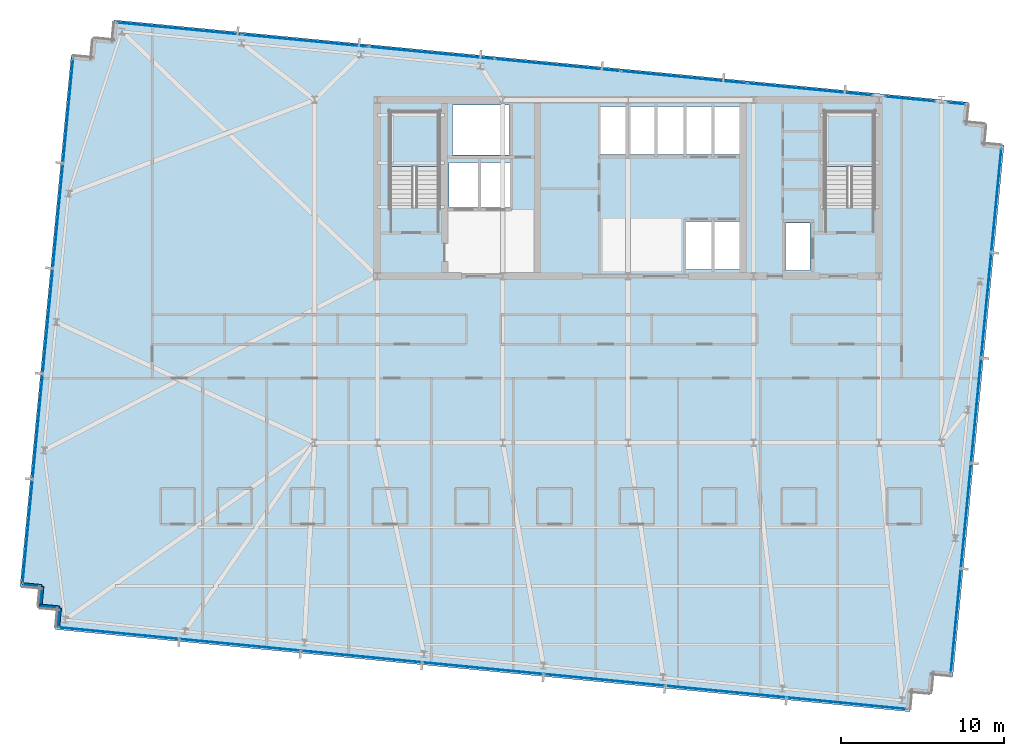
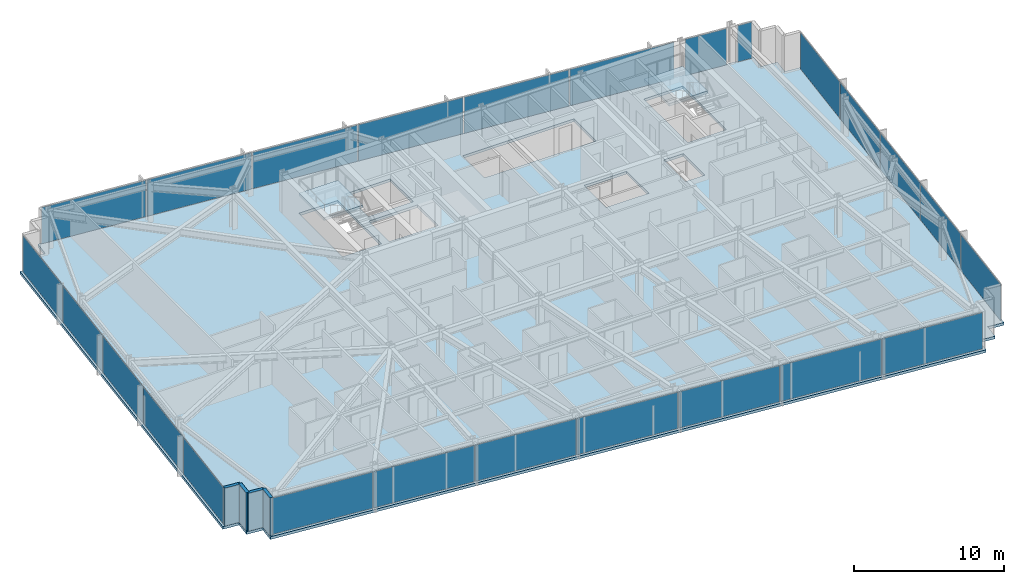
# One storey, part 28 of 38: 25 plates, 4 walls, 3 slabs, 8 elements without a shape of their own.
"""IFC4 building model written with IfcOpenShell, lengths in metres."""

from ifc_helpers import new_model, si_unit, direction, frame, frame_2d, origin, origin_2d, place, context, subcontext, project, spatial, polyline, rectangle, outline, extrude, material, layer, layer_set, type_object, element, aggregate, save


model = new_model("IFC4")

# Units and contexts
model_context = context("Model", 3, precision=1e-05, world=origin(), true_north=direction((0.0, 1.0)))
body_context = subcontext(model_context, "Body", "Model", "MODEL_VIEW")
ifc_project = project(units=[si_unit("LENGTHUNIT", "METRE"), si_unit("AREAUNIT", "SQUARE_METRE"), si_unit("VOLUMEUNIT", "CUBIC_METRE"), si_unit("PLANEANGLEUNIT", "RADIAN"), si_unit("MASSUNIT", "GRAM", prefix="KILO")], contexts=[model_context])

# Site, building, storey
site_placement = place(None, origin())
site = spatial("IfcSite", under=ifc_project, at=site_placement, CompositionType="ELEMENT")
building_placement = place(site_placement, origin())
building = spatial("IfcBuilding", under=site, at=building_placement, Name="Yelkora Congress Tower", CompositionType="ELEMENT")
storey_placement = place(building_placement, frame((0.0, 0.0, 178.699951171875)))
storey = spatial("IfcBuildingStorey", under=building, at=storey_placement, Name="L49", CompositionType="ELEMENT", Elevation=178.699951171875)

# Curtain wall, plates
ifc_material_1 = material(Name="Anodised aluminium and insulated glass", Category="aluminium")
curtain_wall_type = type_object("IfcCurtainWallType", Name="CW-SYS-B3", PredefinedType="NOTDEFINED", material=ifc_material_1)
curtain_wall_1_placement = place(storey_placement, origin())
curtain_wall_1 = element("IfcCurtainWall", 1, at=curtain_wall_1_placement, inside=storey, type_object=curtain_wall_type, Name="L49 Unitised Curtain Wall 5", PredefinedType="NOTDEFINED")
ifc_material_2 = material(Name="Acoustic laminated hotel glass unit B3", Category="glass")
ifc_layer_1 = layer(ifc_material_2, 0.0419921875)
ifc_layer_set_1 = layer_set([ifc_layer_1], Name="Acoustic laminated hotel glass unit B3")
plate_type = type_object("IfcPlateType", Name="PLT-PN-B3", PredefinedType="CURTAIN_PANEL", material=ifc_layer_set_1)
plate_1_placement = place(storey_placement, frame((1.61572265625, 19.75244140625, 0.06005859375), z_axis=(0.0, 0.0, 1.0), x_axis=(0.095845294465, 0.995396242473, 0.0)))
plate_1 = element("IfcPlate", 2, at=plate_1_placement, type_object=plate_type, Name="CW-B3 panel 1.1", PredefinedType="CURTAIN_PANEL", context=body_context, shape_type="SweptSolid", body=[
    extrude(rectangle(XDim=6.37890625, YDim=0.0419921875, at=origin_2d()), origin(), (0.0, 0.0, 1.0), 2.9599609375),
])
plate_2_placement = place(storey_placement, frame((2.235595703125, 26.189208984375, 0.06005859375), z_axis=(0.0, 0.0, 1.0), x_axis=(0.095845294465, 0.995396242473, 0.0)))
plate_2 = element("IfcPlate", 3, at=plate_2_placement, type_object=plate_type, Name="CW-B3 panel 2.1", PredefinedType="CURTAIN_PANEL", context=body_context, shape_type="SweptSolid", body=[
    extrude(rectangle(XDim=6.4140625, YDim=0.0419921875, at=origin_2d()), origin(), (0.0, 0.0, 1.0), 2.9599609375),
])
plate_3_placement = place(storey_placement, frame((2.85693359375, 32.643310546875, 0.06005859375), z_axis=(0.0, 0.0, 1.0), x_axis=(0.095845294465, 0.995396242473, 0.0)))
plate_3 = element("IfcPlate", 4, at=plate_3_placement, type_object=plate_type, Name="CW-B3 panel 3.1", PredefinedType="CURTAIN_PANEL", context=body_context, shape_type="SweptSolid", body=[
    extrude(rectangle(XDim=6.4140625, YDim=0.0419921875, at=origin_2d()), origin(), (0.0, 0.0, 1.0), 2.9599609375),
])
plate_4_placement = place(storey_placement, frame((3.478515625, 39.097412109375, 0.06005859375), z_axis=(0.0, 0.0, 1.0), x_axis=(0.095845294465, 0.995396242473, 0.0)))
plate_4 = element("IfcPlate", 5, at=plate_4_placement, type_object=plate_type, Name="CW-B3 panel 4.1", PredefinedType="CURTAIN_PANEL", context=body_context, shape_type="SweptSolid", body=[
    extrude(rectangle(XDim=6.4140625, YDim=0.0419921875, at=origin_2d()), origin(), (0.0, 0.0, 1.0), 2.9599609375),
])
plate_5_placement = place(storey_placement, frame((4.09814453125, 45.5341796875, 0.06005859375), z_axis=(0.0, 0.0, 1.0), x_axis=(0.095845294465, 0.995396242473, 0.0)))
plate_5 = element("IfcPlate", 6, at=plate_5_placement, type_object=plate_type, Name="CW-B3 panel 5.1", PredefinedType="CURTAIN_PANEL", context=body_context, shape_type="SweptSolid", body=[
    extrude(rectangle(XDim=6.37890625, YDim=0.0419921875, at=origin_2d()), origin(), (0.0, 0.0, 1.0), 2.9599609375),
])
aggregate(curtain_wall_1, [plate_1, plate_2, plate_3, plate_4, plate_5])

curtain_wall_2_placement = place(storey_placement, origin())
curtain_wall_2 = element("IfcCurtainWall", 7, at=curtain_wall_2_placement, inside=storey, type_object=curtain_wall_type, Name="L49 Unitised Curtain Wall 10 (1)", PredefinedType="NOTDEFINED")
plate_6_placement = place(storey_placement, frame((10.913818359375, 50.5634765625, 0.06005859375), z_axis=(0.0, 0.0, 1.0), x_axis=(0.995396293823, -0.095844761168, 0.0)))
plate_6 = element("IfcPlate", 8, at=plate_6_placement, type_object=plate_type, Name="CW-B3 panel 1.1", PredefinedType="CURTAIN_PANEL", context=body_context, shape_type="SweptSolid", body=[
    extrude(rectangle(XDim=7.664306640625, YDim=0.0419921875, at=origin_2d()), origin(), (0.0, 0.0, 1.0), 2.9599609375),
])
plate_7_placement = place(storey_placement, frame((18.6298828125, 49.820556640625, 0.06005859375), z_axis=(0.0, 0.0, 1.0), x_axis=(0.995396293823, -0.095844761168, 0.0)))
plate_7 = element("IfcPlate", 9, at=plate_7_placement, type_object=plate_type, Name="CW-B3 panel 2.1", PredefinedType="CURTAIN_PANEL", context=body_context, shape_type="SweptSolid", body=[
    extrude(rectangle(XDim=7.69921875, YDim=0.0419921875, at=origin_2d()), origin(), (0.0, 0.0, 1.0), 2.9599609375),
])
plate_8_placement = place(storey_placement, frame((26.363525390625, 49.075927734375, 0.06005859375), z_axis=(0.0, 0.0, 1.0), x_axis=(0.995396293823, -0.095844761168, 0.0)))
plate_8 = element("IfcPlate", 10, at=plate_8_placement, type_object=plate_type, Name="CW-B3 panel 3.1", PredefinedType="CURTAIN_PANEL", context=body_context, shape_type="SweptSolid", body=[
    extrude(rectangle(XDim=7.69921875, YDim=0.0419921875, at=origin_2d()), origin(), (0.0, 0.0, 1.0), 2.9599609375),
])
plate_9_placement = place(storey_placement, frame((34.09716796875, 48.331298828125, 0.06005859375), z_axis=(0.0, 0.0, 1.0), x_axis=(0.995396293823, -0.095844761168, 0.0)))
plate_9 = element("IfcPlate", 11, at=plate_9_placement, type_object=plate_type, Name="CW-B3 panel 4.1", PredefinedType="CURTAIN_PANEL", context=body_context, shape_type="SweptSolid", body=[
    extrude(rectangle(XDim=7.69921875, YDim=0.0419921875, at=origin_2d()), origin(), (0.0, 0.0, 1.0), 2.9599609375),
])
plate_10_placement = place(storey_placement, frame((41.83056640625, 47.586669921875, 0.06005859375), z_axis=(0.0, 0.0, 1.0), x_axis=(0.995396293823, -0.095844761168, 0.0)))
plate_10 = element("IfcPlate", 12, at=plate_10_placement, type_object=plate_type, Name="CW-B3 panel 5.1", PredefinedType="CURTAIN_PANEL", context=body_context, shape_type="SweptSolid", body=[
    extrude(rectangle(XDim=7.69921875, YDim=0.0419921875, at=origin_2d()), origin(), (0.0, 0.0, 1.0), 2.9599609375),
])
plate_11_placement = place(storey_placement, frame((49.546875, 46.84375, 0.06005859375), z_axis=(0.0, 0.0, 1.0), x_axis=(0.995396293823, -0.095844761168, 0.0)))
plate_11 = element("IfcPlate", 13, at=plate_11_placement, type_object=plate_type, Name="CW-B3 panel 6.1", PredefinedType="CURTAIN_PANEL", context=body_context, shape_type="SweptSolid", body=[
    extrude(rectangle(XDim=7.664306640625, YDim=0.0419921875, at=origin_2d()), origin(), (0.0, 0.0, 1.0), 2.9599609375),
])
aggregate(curtain_wall_2, [plate_6, plate_7, plate_8, plate_9, plate_10, plate_11])

# Curtain wall, plate
curtain_wall_3_placement = place(storey_placement, origin())
curtain_wall_3 = element("IfcCurtainWall", 14, at=curtain_wall_3_placement, inside=storey, type_object=curtain_wall_type, Name="L49 Unitised Curtain Wall 10 (2)", PredefinedType="NOTDEFINED")
plate_12_placement = place(storey_placement, frame((55.679931640625, 46.253173828125, 0.06005859375), z_axis=(0.0, 0.0, 1.0), x_axis=(0.995395952188, -0.095848309157, 0.0)))
plate_12 = element("IfcPlate", 15, at=plate_12_placement, type_object=plate_type, Name="CW-B3 panel 1.1", PredefinedType="CURTAIN_PANEL", context=body_context, shape_type="SweptSolid", body=[
    extrude(rectangle(XDim=3.056640625, YDim=0.0419921875, at=origin_2d()), origin(), (0.0, 0.0, 1.0), 2.9599609375),
])
aggregate(curtain_wall_3, [plate_12])

curtain_wall_4_placement = place(storey_placement, origin())
curtain_wall_4 = element("IfcCurtainWall", 16, at=curtain_wall_4_placement, inside=storey, type_object=curtain_wall_type, Name="L49 Unitised Curtain Wall 10 (3)", PredefinedType="NOTDEFINED")
plate_13_placement = place(storey_placement, frame((58.518798828125, 45.979736328125, 0.06005859375), z_axis=(0.0, 0.0, 1.0), x_axis=(0.995395569658, -0.095852281686, 0.0)))
plate_13 = element("IfcPlate", 17, at=plate_13_placement, type_object=plate_type, Name="CW-B3 panel 1.1", PredefinedType="CURTAIN_PANEL", context=body_context, shape_type="SweptSolid", body=[
    extrude(rectangle(XDim=1.045166015625, YDim=0.0419921875, at=origin_2d()), origin(), (0.0, 0.0, 1.0), 2.9599609375),
])
aggregate(curtain_wall_4, [plate_13])

# Curtain wall, plates
curtain_wall_5_placement = place(storey_placement, origin())
curtain_wall_5 = element("IfcCurtainWall", 18, at=curtain_wall_5_placement, inside=storey, type_object=curtain_wall_type, Name="L49 Unitised Curtain Wall 15", PredefinedType="NOTDEFINED")
plate_14_placement = place(storey_placement, frame((60.955322265625, 40.0595703125, 0.06005859375), z_axis=(0.0, 0.0, 1.0), x_axis=(-0.095841944023, -0.995396565076, 0.0)))
plate_14 = element("IfcPlate", 19, at=plate_14_placement, type_object=plate_type, Name="CW-B3 panel 1.1", PredefinedType="CURTAIN_PANEL", context=body_context, shape_type="SweptSolid", body=[
    extrude(rectangle(XDim=6.37890625, YDim=0.0419921875, at=origin_2d()), origin(), (0.0, 0.0, 1.0), 2.9599609375),
])
plate_15_placement = place(storey_placement, frame((60.33544921875, 33.622802734375, 0.06005859375), z_axis=(0.0, 0.0, 1.0), x_axis=(-0.095841944023, -0.995396565076, 0.0)))
plate_15 = element("IfcPlate", 20, at=plate_15_placement, type_object=plate_type, Name="CW-B3 panel 2.1", PredefinedType="CURTAIN_PANEL", context=body_context, shape_type="SweptSolid", body=[
    extrude(rectangle(XDim=6.4140625, YDim=0.0419921875, at=origin_2d()), origin(), (0.0, 0.0, 1.0), 2.9599609375),
])
plate_16_placement = place(storey_placement, frame((59.714111328125, 27.168701171875, 0.06005859375), z_axis=(0.0, 0.0, 1.0), x_axis=(-0.095841944023, -0.995396565076, 0.0)))
plate_16 = element("IfcPlate", 21, at=plate_16_placement, type_object=plate_type, Name="CW-B3 panel 3.1", PredefinedType="CURTAIN_PANEL", context=body_context, shape_type="SweptSolid", body=[
    extrude(rectangle(XDim=6.4140625, YDim=0.0419921875, at=origin_2d()), origin(), (0.0, 0.0, 1.0), 2.9599609375),
])
plate_17_placement = place(storey_placement, frame((59.092529296875, 20.71435546875, 0.06005859375), z_axis=(0.0, 0.0, 1.0), x_axis=(-0.095841944023, -0.995396565076, 0.0)))
plate_17 = element("IfcPlate", 22, at=plate_17_placement, type_object=plate_type, Name="CW-B3 panel 4.1", PredefinedType="CURTAIN_PANEL", context=body_context, shape_type="SweptSolid", body=[
    extrude(rectangle(XDim=6.4140625, YDim=0.0419921875, at=origin_2d()), origin(), (0.0, 0.0, 1.0), 2.9599609375),
])
plate_18_placement = place(storey_placement, frame((58.472900390625, 14.277587890625, 0.06005859375), z_axis=(0.0, 0.0, 1.0), x_axis=(-0.095841944023, -0.995396565076, 0.0)))
plate_18 = element("IfcPlate", 23, at=plate_18_placement, type_object=plate_type, Name="CW-B3 panel 5.1", PredefinedType="CURTAIN_PANEL", context=body_context, shape_type="SweptSolid", body=[
    extrude(rectangle(XDim=6.37890625, YDim=0.0419921875, at=origin_2d()), origin(), (0.0, 0.0, 1.0), 2.9599609375),
])
aggregate(curtain_wall_5, [plate_14, plate_15, plate_16, plate_17, plate_18])

curtain_wall_6_placement = place(storey_placement, origin())
curtain_wall_6 = element("IfcCurtainWall", 24, at=curtain_wall_6_placement, inside=storey, type_object=curtain_wall_type, Name="L49 Unitised Curtain Wall 20", PredefinedType="NOTDEFINED")
plate_19_placement = place(storey_placement, frame((51.803955078125, 9.234130859375, 0.06005859375), z_axis=(0.0, 0.0, 1.0), x_axis=(-0.995396301573, 0.095844680679, 0.0)))
plate_19 = element("IfcPlate", 25, at=plate_19_placement, type_object=plate_type, Name="CW-B3 panel 1.1", PredefinedType="CURTAIN_PANEL", context=body_context, shape_type="SweptSolid", body=[
    extrude(rectangle(XDim=7.369384765625, YDim=0.0419921875, at=origin_2d()), origin(), (0.0, 0.0, 1.0), 2.9599609375),
])
plate_20_placement = place(storey_placement, frame((44.381591796875, 9.948974609375, 0.06005859375), z_axis=(0.0, 0.0, 1.0), x_axis=(-0.995396301573, 0.095844680679, 0.0)))
plate_20 = element("IfcPlate", 26, at=plate_20_placement, type_object=plate_type, Name="CW-B3 panel 2.1", PredefinedType="CURTAIN_PANEL", context=body_context, shape_type="SweptSolid", body=[
    extrude(rectangle(XDim=7.404296875, YDim=0.0419921875, at=origin_2d()), origin(), (0.0, 0.0, 1.0), 2.9599609375),
])
plate_21_placement = place(storey_placement, frame((36.941650390625, 10.665283203125, 0.06005859375), z_axis=(0.0, 0.0, 1.0), x_axis=(-0.995396301573, 0.095844680679, 0.0)))
plate_21 = element("IfcPlate", 27, at=plate_21_placement, type_object=plate_type, Name="CW-B3 panel 3.1", PredefinedType="CURTAIN_PANEL", context=body_context, shape_type="SweptSolid", body=[
    extrude(rectangle(XDim=7.404296875, YDim=0.0419921875, at=origin_2d()), origin(), (0.0, 0.0, 1.0), 2.9599609375),
])
plate_22_placement = place(storey_placement, frame((29.501708984375, 11.381591796875, 0.06005859375), z_axis=(0.0, 0.0, 1.0), x_axis=(-0.995396301573, 0.095844680679, 0.0)))
plate_22 = element("IfcPlate", 28, at=plate_22_placement, type_object=plate_type, Name="CW-B3 panel 4.1", PredefinedType="CURTAIN_PANEL", context=body_context, shape_type="SweptSolid", body=[
    extrude(rectangle(XDim=7.404296875, YDim=0.0419921875, at=origin_2d()), origin(), (0.0, 0.0, 1.0), 2.9599609375),
])
plate_23_placement = place(storey_placement, frame((22.06201171875, 12.097900390625, 0.06005859375), z_axis=(0.0, 0.0, 1.0), x_axis=(-0.995396301573, 0.095844680679, 0.0)))
plate_23 = element("IfcPlate", 29, at=plate_23_placement, type_object=plate_type, Name="CW-B3 panel 5.1", PredefinedType="CURTAIN_PANEL", context=body_context, shape_type="SweptSolid", body=[
    extrude(rectangle(XDim=7.404296875, YDim=0.0419921875, at=origin_2d()), origin(), (0.0, 0.0, 1.0), 2.9599609375),
])
plate_24_placement = place(storey_placement, frame((14.6220703125, 12.814453125, 0.06005859375), z_axis=(0.0, 0.0, 1.0), x_axis=(-0.995396301573, 0.095844680679, 0.0)))
plate_24 = element("IfcPlate", 30, at=plate_24_placement, type_object=plate_type, Name="CW-B3 panel 6.1", PredefinedType="CURTAIN_PANEL", context=body_context, shape_type="SweptSolid", body=[
    extrude(rectangle(XDim=7.404296875, YDim=0.0419921875, at=origin_2d()), origin(), (0.0, 0.0, 1.0), 2.9599609375),
])
plate_25_placement = place(storey_placement, frame((7.199462890625, 13.529052734375, 0.06005859375), z_axis=(0.0, 0.0, 1.0), x_axis=(-0.995396301573, 0.095844680679, 0.0)))
plate_25 = element("IfcPlate", 31, at=plate_25_placement, type_object=plate_type, Name="CW-B3 panel 7.1", PredefinedType="CURTAIN_PANEL", context=body_context, shape_type="SweptSolid", body=[
    extrude(rectangle(XDim=7.369384765625, YDim=0.0419921875, at=origin_2d()), origin(), (0.0, 0.0, 1.0), 2.9599609375),
])
aggregate(curtain_wall_6, [plate_19, plate_20, plate_21, plate_22, plate_23, plate_24, plate_25])

# Stair, slab
ifc_material_3 = material(Name="Concrete C40/50", Category="concrete")
stair_type = type_object("IfcStairType", Name="STAIR-HT-1420-R20-165", PredefinedType="HALF_TURN_STAIR", material=ifc_material_3)
stair_1_placement = place(storey_placement, origin())
stair_1 = element("IfcStair", 32, at=stair_1_placement, inside=storey, type_object=stair_type, Name="West Core Protected Exit Stair ST-01 (L49)", PredefinedType="HALF_TURN_STAIR")
ifc_layer_2 = layer(ifc_material_3, 0.219970703125)
ifc_layer_set_2 = layer_set([ifc_layer_2], Name="Concrete C40/50")
slab_type_1 = type_object("IfcSlabType", Name="SLAB-LANDING-220", PredefinedType="LANDING", material=ifc_layer_set_2)
slab_1_placement = place(storey_placement, frame((0.0, 0.0, 1.429931640625)))
slab_1 = element("IfcSlab", 33, at=slab_1_placement, type_object=slab_type_1, Name="ST-01 L49 Half Landing 1", PredefinedType="LANDING", context=body_context, shape_type="SweptSolid", body=[
    extrude(outline(polyline([(26.820068359375, 42.1201171875), (26.820068359375, 45.469970703125), (23.820068359375, 45.469970703125), (23.820068359375, 42.1201171875), (26.820068359375, 42.1201171875)])), origin(), (0.0, 0.0, 1.0), 0.22021484375),
])
aggregate(stair_1, [slab_1])

stair_2_placement = place(storey_placement, origin())
stair_2 = element("IfcStair", 34, at=stair_2_placement, inside=storey, type_object=stair_type, Name="East Core Protected Exit Stair ST-02 (L49)", PredefinedType="HALF_TURN_STAIR")
slab_2_placement = place(storey_placement, frame((0.0, 0.0, 1.429931640625)))
slab_2 = element("IfcSlab", 35, at=slab_2_placement, type_object=slab_type_1, Name="ST-02 L49 Half Landing 1", PredefinedType="LANDING", context=body_context, shape_type="SweptSolid", body=[
    extrude(outline(polyline([(53.4599609375, 42.1201171875), (53.4599609375, 45.469970703125), (50.4599609375, 45.469970703125), (50.4599609375, 42.1201171875), (53.4599609375, 42.1201171875)])), origin(), (0.0, 0.0, 1.0), 0.22021484375),
])
aggregate(stair_2, [slab_2])

# Slab
ifc_layer_3 = layer(ifc_material_3, 0.219970703125)
ifc_layer_set_3 = layer_set([ifc_layer_3], Name="Concrete C40/50")
slab_type_2 = type_object("IfcSlabType", Name="SLAB-TWR-220", PredefinedType="FLOOR", material=ifc_layer_set_3)
slab_3_placement = place(storey_placement, frame((0.0, 0.0, -0.219970703125)))
element("IfcSlab", 36, at=slab_3_placement, inside=storey, type_object=slab_type_2, Name="L49 Structural Floor Slab", PredefinedType="FLOOR", context=body_context, shape_type="SweptSolid", body=[
    extrude(outline(polyline([(3.309326171875, 13.762939453125), (55.667236328125, 8.721435546875), (55.7822265625, 9.916015625), (56.976806640625, 9.801025390625), (57.091796875, 10.99560546875), (58.286376953125, 10.88037109375), (61.42041015625, 43.429931640625), (60.225830078125, 43.544921875), (60.341064453125, 44.739501953125), (59.146484375, 44.8544921875), (59.261474609375, 46.048828125), (6.90380859375, 51.09033203125), (6.78857421875, 49.89599609375), (5.59423828125, 50.010986328125), (5.479248046875, 48.81640625), (4.28466796875, 48.931396484375), (1.150390625, 16.382080078125), (2.344970703125, 16.26708984375), (2.22998046875, 15.072509765625), (3.424560546875, 14.95751953125), (3.309326171875, 13.762939453125)]), holes=[polyline([(23.820068359375, 39.6298828125), (26.820068359375, 39.6298828125), (26.820068359375, 45.469970703125), (23.820068359375, 45.469970703125), (23.820068359375, 39.6298828125)]), polyline([(50.4599609375, 39.6298828125), (53.4599609375, 39.6298828125), (53.4599609375, 45.469970703125), (50.4599609375, 45.469970703125), (50.4599609375, 39.6298828125)]), polyline([(48.050048828125, 35.75), (49.550048828125, 35.75), (49.550048828125, 38.64990234375), (48.050048828125, 38.64990234375), (48.050048828125, 35.75)]), polyline([(36.64990234375, 42.85009765625), (45.25, 42.85009765625), (45.25, 45.800048828125), (36.64990234375, 45.800048828125), (36.64990234375, 42.85009765625)]), polyline([(41.949951171875, 35.800048828125), (45.25, 35.800048828125), (45.25, 38.75), (41.949951171875, 38.75), (41.949951171875, 35.800048828125)]), polyline([(27.419921875, 39.60009765625), (31.179931640625, 39.60009765625), (31.179931640625, 42.35009765625), (27.419921875, 42.35009765625), (27.419921875, 39.60009765625)]), polyline([(27.64990234375, 42.820068359375), (31.1201171875, 42.820068359375), (31.1201171875, 45.8798828125), (27.64990234375, 45.8798828125), (27.64990234375, 42.820068359375)])]), origin(), (0.0, 0.0, 1.0), 0.219970703125),
])

# Walls
ifc_layer_4 = layer(ifc_material_3, 0.239990234375)
ifc_layer_set_4 = layer_set([ifc_layer_4], Name="Concrete C40/50")
wall_type = type_object("IfcWallType", Name="WALL-EXT-LIMESTONE-240", PredefinedType="SOLIDWALL", material=ifc_layer_set_4)
for number, where, z_axis, x_axis, name in (
    (37, (3.462158203125, 13.888916015625, 0.0), (0.0, 0.0, 1.0), (0.096018626938, 0.995379537303, 0.0), "L49 Serrated Corner Limestone Pier 1"),
    (38, (3.577392578125, 15.08349609375, 0.0), (0.0, 0.0, 1.0), (-0.995398960025, 0.095817067274, 0.0), "L49 Serrated Corner Limestone Pier 2"),
):
    element("IfcWall", number, at=place(storey_placement, frame(where, z_axis=z_axis, x_axis=x_axis)), inside=storey, type_object=wall_type, Name=name, PredefinedType="SOLIDWALL", context=body_context, shape_type="SweptSolid", body=[
        extrude(rectangle(XDim=1.2001953125, YDim=0.239990234375, at=frame_2d((0.60009765625, 0.0))), origin(), (0.0, 0.0, 1.0), 3.080078125),
    ])
wall_1_placement = place(storey_placement, frame((2.3828125, 15.198486328125, 0.0), z_axis=(0.0, 0.0, 1.0), x_axis=(0.095836473879, 0.995397091755, 0.0)))
element("IfcWall", 39, at=wall_1_placement, inside=storey, type_object=wall_type, Name="L49 Serrated Corner Limestone Pier 3", PredefinedType="SOLIDWALL", context=body_context, shape_type="SweptSolid", body=[
    extrude(rectangle(XDim=1.199951171875, YDim=0.239990234375, at=frame_2d((0.60009765625, 0.0))), origin(), (0.0, 0.0, 1.0), 3.080078125),
])
wall_2_placement = place(storey_placement, frame((2.497802734375, 16.392822265625, 0.0), z_axis=(0.0, 0.0, 1.0), x_axis=(-0.995398960025, 0.095817067274, 0.0)))
element("IfcWall", 40, at=wall_2_placement, inside=storey, type_object=wall_type, Name="L49 Serrated Corner Limestone Pier 4", PredefinedType="SOLIDWALL", context=body_context, shape_type="SweptSolid", body=[
    extrude(rectangle(XDim=1.2001953125, YDim=0.239990234375, at=frame_2d((0.60009765625, 0.0))), origin(), (0.0, 0.0, 1.0), 3.080078125),
])

save(model, "model.ifc")
